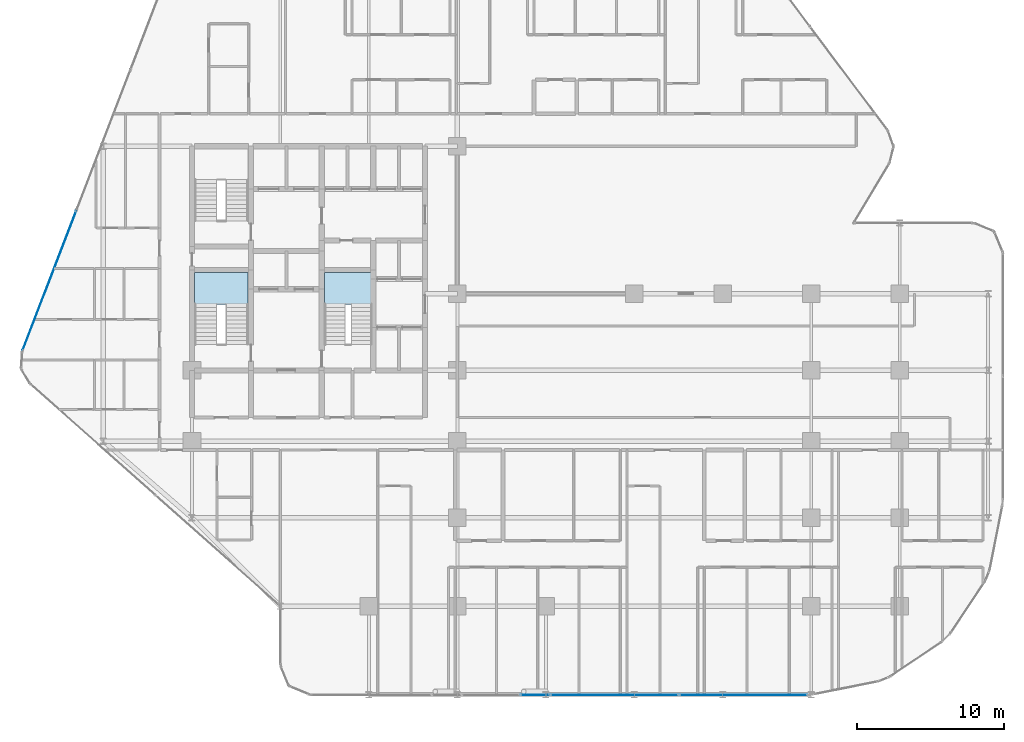
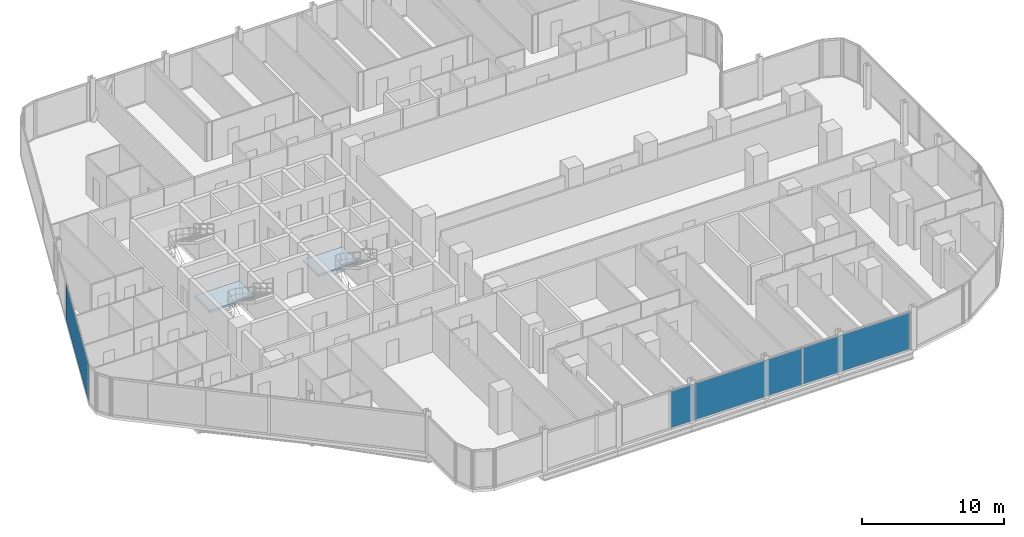
# One storey, part 21 of 33: 4 plates, 2 slabs, 5 elements without a shape of their own.
"""IFC4 building model written with IfcOpenShell, lengths in metres."""

from ifc_helpers import new_model, si_unit, direction, frame, origin, origin_2d, place, context, subcontext, project, spatial, polyline, rectangle, outline, extrude, material, layer, layer_set, type_object, element, aggregate, save


model = new_model("IFC4")

# Units and contexts
model_context = context("Model", 3, precision=1e-05, world=origin(), true_north=direction((0.0, 1.0)))
body_context = subcontext(model_context, "Body", "Model", "MODEL_VIEW")
ifc_project = project(units=[si_unit("LENGTHUNIT", "METRE"), si_unit("AREAUNIT", "SQUARE_METRE"), si_unit("VOLUMEUNIT", "CUBIC_METRE"), si_unit("PLANEANGLEUNIT", "RADIAN"), si_unit("MASSUNIT", "GRAM", prefix="KILO")], contexts=[model_context])

# Site, building, storey
site_placement = place(None, origin())
site = spatial("IfcSite", under=ifc_project, at=site_placement, CompositionType="ELEMENT")
building_placement = place(site_placement, origin())
building = spatial("IfcBuilding", under=site, at=building_placement, Name="Keshet Zoharim Tower", CompositionType="ELEMENT")
storey_placement = place(building_placement, frame((0.0, 0.0, 57.300048828125)))
storey = spatial("IfcBuildingStorey", under=building, at=storey_placement, Name="L13", CompositionType="ELEMENT", Elevation=57.300048828125)

# Curtain wall, plate
ifc_material_1 = material(Name="Aluminium 6063-T6", Category="aluminium")
ifc_layer_1 = layer(ifc_material_1, 0.179931640625)
ifc_layer_set_1 = layer_set([ifc_layer_1], Name="Aluminium 6063-T6")
curtain_wall_type = type_object("IfcCurtainWallType", Name="CW-SYS-01", PredefinedType="NOTDEFINED", material=ifc_layer_set_1)
curtain_wall_1_placement = place(storey_placement, origin())
curtain_wall_1 = element("IfcCurtainWall", 1, at=curtain_wall_1_placement, inside=storey, type_object=curtain_wall_type, Name="L13 Unitised Curtain Wall 04", PredefinedType="NOTDEFINED")
ifc_material_2 = material(Name="Insulated Low-E Clear Glass", Category="glass")
ifc_layer_2 = layer(ifc_material_2, 0.035888671875)
ifc_layer_set_2 = layer_set([ifc_layer_2], Name="Insulated Low-E Clear Glass")
plate_type_1 = type_object("IfcPlateType", Name="CWP-01", PredefinedType="CURTAIN_PANEL", material=ifc_layer_set_2)
plate_1_placement = place(storey_placement, frame((5.33837890625, 28.7802734375, 0.06982421875), z_axis=(0.0, 0.0, 1.0), x_axis=(0.358990003907, 0.933341404361, 0.0)))
plate_1 = element("IfcPlate", 2, at=plate_1_placement, type_object=plate_type_1, Name="CW-01 panel 1.1", PredefinedType="CURTAIN_PANEL", context=body_context, shape_type="SweptSolid", body=[
    extrude(rectangle(XDim=10.1181640625, YDim=0.035888671875, at=origin_2d()), origin(), (0.0, 0.0, 1.0), 3.139892578125),
])
aggregate(curtain_wall_1, [plate_1])

# Curtain wall, plates
curtain_wall_2_placement = place(storey_placement, origin())
curtain_wall_2 = element("IfcCurtainWall", 3, at=curtain_wall_2_placement, inside=storey, type_object=curtain_wall_type, Name="L13 Unitised Curtain Wall 26", PredefinedType="NOTDEFINED")
plate_2_placement = place(storey_placement, frame((52.400146484375, 0.699951171875, 0.06982421875), z_axis=(0.0, 0.0, 1.0), x_axis=(-1.0, 0.0, 0.0)))
plate_2 = element("IfcPlate", 4, at=plate_2_placement, type_object=plate_type_1, Name="CW-01 panel 1.1", PredefinedType="CURTAIN_PANEL", context=body_context, shape_type="SweptSolid", body=[
    extrude(rectangle(XDim=8.665771484375, YDim=0.035888671875, at=origin_2d()), origin(), (0.0, 0.0, 1.0), 3.139892578125),
])
plate_3_placement = place(storey_placement, frame((43.66455078125, 0.699951171875, 0.06982421875), z_axis=(0.0, 0.0, 1.0), x_axis=(-1.0, 0.0, 0.0)))
plate_3 = element("IfcPlate", 5, at=plate_3_placement, type_object=plate_type_1, Name="CW-01 panel 2.1", PredefinedType="CURTAIN_PANEL", context=body_context, shape_type="SweptSolid", body=[
    extrude(rectangle(XDim=8.665771484375, YDim=0.035888671875, at=origin_2d()), origin(), (0.0, 0.0, 1.0), 3.139892578125),
])
aggregate(curtain_wall_2, [plate_2, plate_3])

# Curtain wall, plate
curtain_wall_3_placement = place(storey_placement, origin())
curtain_wall_3 = element("IfcCurtainWall", 6, at=curtain_wall_3_placement, inside=storey, type_object=curtain_wall_type, Name="L13 Unitised Curtain Wall 26 Part 2", PredefinedType="NOTDEFINED")
ifc_material_3 = material(Name="Insulated Aluminium Spandrel Panel", Category="aluminium")
ifc_layer_3 = layer(ifc_material_3, 0.035888671875)
ifc_layer_set_3 = layer_set([ifc_layer_3], Name="Insulated Aluminium Spandrel Panel")
plate_type_2 = type_object("IfcPlateType", Name="CWP-04", PredefinedType="CURTAIN_PANEL", material=ifc_layer_set_3)
plate_4_placement = place(storey_placement, frame((38.284912109375, 0.699951171875, 0.06982421875), z_axis=(0.0, 0.0, 1.0), x_axis=(-1.0, 0.0, 0.0)))
plate_4 = element("IfcPlate", 7, at=plate_4_placement, type_object=plate_type_2, Name="CW-01 spandrel panel 1.1", PredefinedType="CURTAIN_PANEL", context=body_context, shape_type="SweptSolid", body=[
    extrude(rectangle(XDim=1.953369140625, YDim=0.035888671875, at=origin_2d()), origin(), (0.0, 0.0, 1.0), 3.139892578125),
])
aggregate(curtain_wall_3, [plate_4])

# Stair, slab
ifc_material_4 = material(Name="Concrete C50/60", Category="concrete")
stair_type = type_object("IfcStairType", Name="STR-EXIT-135", PredefinedType="HALF_TURN_STAIR", material=ifc_material_4)
stair_1_placement = place(storey_placement, origin())
stair_1 = element("IfcStair", 8, at=stair_1_placement, inside=storey, type_object=stair_type, Name="L13 Enclosed Exit Stair ST-01", PredefinedType="HALF_TURN_STAIR")
ifc_layer_4 = layer(ifc_material_4, 0.199951171875)
ifc_layer_set_4 = layer_set([ifc_layer_4], Name="Concrete C50/60")
slab_type = type_object("IfcSlabType", Name="SLB-LND-200", PredefinedType="LANDING", material=ifc_layer_set_4)
slab_1_placement = place(storey_placement, frame((0.0, 0.0, 1.64990234375)))
slab_1 = element("IfcSlab", 9, at=slab_1_placement, type_object=slab_type, Name="ST-01 landing 1", PredefinedType="LANDING", context=body_context, shape_type="SweptSolid", body=[
    extrude(outline(polyline([(15.179931640625, 27.159912109375), (18.820068359375, 27.159912109375), (18.820068359375, 29.320068359375), (15.179931640625, 29.320068359375), (15.179931640625, 27.159912109375)])), origin(), (0.0, 0.0, 1.0), 0.199951171875),
])
aggregate(stair_1, [slab_1])

stair_2_placement = place(storey_placement, origin())
stair_2 = element("IfcStair", 10, at=stair_2_placement, inside=storey, type_object=stair_type, Name="L13 Enclosed Exit Stair ST-03", PredefinedType="HALF_TURN_STAIR")
slab_2_placement = place(storey_placement, frame((0.0, 0.0, 1.64990234375)))
slab_2 = element("IfcSlab", 11, at=slab_2_placement, type_object=slab_type, Name="ST-03 landing 1", PredefinedType="LANDING", context=body_context, shape_type="SweptSolid", body=[
    extrude(outline(polyline([(23.97998046875, 27.159912109375), (27.219970703125, 27.159912109375), (27.219970703125, 29.320068359375), (23.97998046875, 29.320068359375), (23.97998046875, 27.159912109375)])), origin(), (0.0, 0.0, 1.0), 0.199951171875),
])
aggregate(stair_2, [slab_2])

save(model, "model.ifc")
